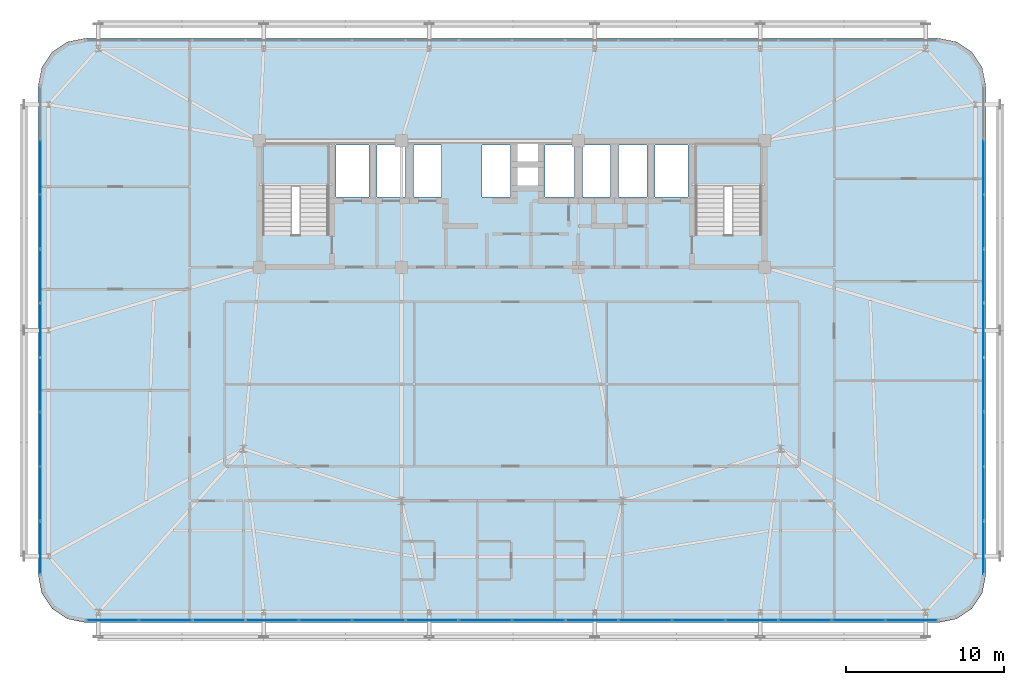
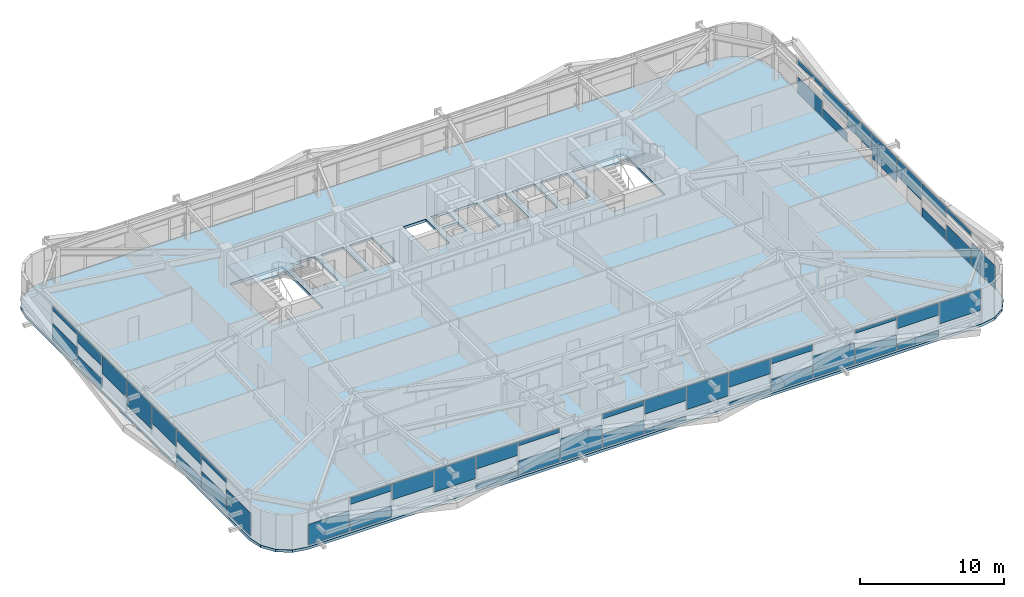
# One storey, part 42 of 59: 49 plates, 3 slabs, 5 elements without a shape of their own.
"""IFC4 building model written with IfcOpenShell, lengths in metres."""

from ifc_helpers import new_model, si_unit, direction, frame, origin, origin_2d, place, context, subcontext, project, spatial, polyline, rectangle, outline, extrude, source, transform, mapped, material, layer, layer_set, type_object, element, aggregate, save


model = new_model("IFC4")

# Units and contexts
model_context = context("Model", 3, precision=1e-05, world=origin(), true_north=direction((0.0, 1.0)))
body_context = subcontext(model_context, "Body", "Model", "MODEL_VIEW")
ifc_project = project(units=[si_unit("LENGTHUNIT", "METRE"), si_unit("AREAUNIT", "SQUARE_METRE"), si_unit("VOLUMEUNIT", "CUBIC_METRE"), si_unit("PLANEANGLEUNIT", "RADIAN"), si_unit("MASSUNIT", "GRAM", prefix="KILO")], contexts=[model_context])

# Site, building, storey
site_placement = place(None, origin())
site = spatial("IfcSite", under=ifc_project, at=site_placement, CompositionType="ELEMENT")
building_placement = place(site_placement, origin())
building = spatial("IfcBuilding", under=site, at=building_placement, Name="Taldren Reach Tower", CompositionType="ELEMENT")
storey_placement = place(building_placement, frame((0.0, 0.0, 45.14990234375)))
storey = spatial("IfcBuildingStorey", under=building, at=storey_placement, Name="L13", CompositionType="ELEMENT", Elevation=45.14990234375)

# Slab
ifc_material_1 = material(Name="Concrete N40 (40 MPa)", Category="concrete")
ifc_layer_1 = layer(ifc_material_1, 0.219970703125)
ifc_layer_set_1 = layer_set([ifc_layer_1], Name="Concrete N40 (40 MPa)")
slab_type_1 = type_object("IfcSlabType", Name="SL-FLR-220", PredefinedType="FLOOR", material=ifc_layer_set_1)
slab_1_placement = place(storey_placement, frame((0.0, 0.0, -0.219970703125)))
element("IfcSlab", 1, at=slab_1_placement, inside=storey, type_object=slab_type_1, Name="Suspended floor slab L13", PredefinedType="FLOOR", context=body_context, shape_type="SweptSolid", body=[
    extrude(outline(polyline([(62.0, 1.5), (63.14794921875, 1.728271484375), (64.121337890625, 2.378662109375), (64.771728515625, 3.35205078125), (65.0, 4.5), (65.0, 35.5), (64.771728515625, 36.64794921875), (64.121337890625, 37.621337890625), (63.14794921875, 38.271728515625), (62.0, 38.5), (8.0, 38.5), (6.85205078125, 38.271728515625), (5.878662109375, 37.621337890625), (5.228271484375, 36.64794921875), (5.0, 35.5), (5.0, 4.5), (5.228271484375, 3.35205078125), (5.878662109375, 2.378662109375), (6.85205078125, 1.728271484375), (8.0, 1.5), (62.0, 1.5)]), holes=[polyline([(19.219970703125, 26.050048828125), (23.3798828125, 26.050048828125), (23.3798828125, 31.820068359375), (19.219970703125, 31.820068359375), (19.219970703125, 26.050048828125)]), polyline([(46.6201171875, 26.050048828125), (50.780029296875, 26.050048828125), (50.780029296875, 31.820068359375), (46.6201171875, 31.820068359375), (46.6201171875, 26.050048828125)]), polyline([(23.85009765625, 28.449951171875), (25.949951171875, 28.449951171875), (25.949951171875, 31.75), (23.85009765625, 31.75), (23.85009765625, 28.449951171875)]), polyline([(44.050048828125, 28.449951171875), (46.14990234375, 28.449951171875), (46.14990234375, 31.75), (44.050048828125, 31.75), (44.050048828125, 28.449951171875)]), polyline([(26.449951171875, 28.449951171875), (28.25, 28.449951171875), (28.25, 31.75), (26.449951171875, 31.75), (26.449951171875, 28.449951171875)]), polyline([(28.75, 28.449951171875), (30.550048828125, 28.449951171875), (30.550048828125, 31.75), (28.75, 31.75), (28.75, 28.449951171875)]), polyline([(33.10009765625, 28.449951171875), (34.89990234375, 28.449951171875), (34.89990234375, 31.75), (33.10009765625, 31.75), (33.10009765625, 28.449951171875)]), polyline([(37.10009765625, 28.449951171875), (38.949951171875, 28.449951171875), (38.949951171875, 31.75), (37.10009765625, 31.75), (37.10009765625, 28.449951171875)]), polyline([(39.449951171875, 28.449951171875), (41.25, 28.449951171875), (41.25, 31.75), (39.449951171875, 31.75), (39.449951171875, 28.449951171875)]), polyline([(41.75, 28.449951171875), (43.550048828125, 28.449951171875), (43.550048828125, 31.75), (41.75, 31.75), (41.75, 28.449951171875)]), polyline([(35.35009765625, 30.64990234375), (36.64990234375, 30.64990234375), (36.64990234375, 31.85009765625), (35.35009765625, 31.85009765625), (35.35009765625, 30.64990234375)]), polyline([(35.35009765625, 29.14990234375), (36.64990234375, 29.14990234375), (36.64990234375, 30.35009765625), (35.35009765625, 30.35009765625), (35.35009765625, 29.14990234375)])]), origin(), (0.0, 0.0, 1.0), 0.219970703125),
])

# Stair, slab
ifc_material_2 = material(Name="Concrete S50 (50 MPa)", Category="concrete")
stair_type = type_object("IfcStairType", Name="ST-HT-315", PredefinedType="HALF_TURN_STAIR", material=ifc_material_2)
stair_1_placement = place(storey_placement, origin())
stair_1 = element("IfcStair", 2, at=stair_1_placement, inside=storey, type_object=stair_type, Name="Fire-isolated exit stair ST1 L13", PredefinedType="HALF_TURN_STAIR")
ifc_layer_2 = layer(ifc_material_2, 0.179931640625)
ifc_layer_set_2 = layer_set([ifc_layer_2], Name="Concrete S50 (50 MPa)")
slab_type_2 = type_object("IfcSlabType", Name="SL-LAND-180", PredefinedType="LANDING", material=ifc_layer_set_2)
slab_2_placement = place(storey_placement, frame((0.0, 0.0, 1.39501953125)))
slab_2 = element("IfcSlab", 3, at=slab_2_placement, type_object=slab_type_2, Name="ST1 landing 1", PredefinedType="LANDING", context=body_context, shape_type="SweptSolid", body=[
    extrude(outline(polyline([(19.0400390625, 29.135009765625), (23.56005859375, 29.135009765625), (23.56005859375, 31.8701171875), (19.0400390625, 31.8701171875), (19.0400390625, 29.135009765625)])), origin(), (0.0, 0.0, 1.0), 0.18017578125),
])
aggregate(stair_1, [slab_2])

stair_2_placement = place(storey_placement, origin())
stair_2 = element("IfcStair", 4, at=stair_2_placement, inside=storey, type_object=stair_type, Name="Fire-isolated exit stair ST2 L13", PredefinedType="HALF_TURN_STAIR")
slab_3_placement = place(storey_placement, frame((0.0, 0.0, 1.39501953125)))
slab_3 = element("IfcSlab", 5, at=slab_3_placement, type_object=slab_type_2, Name="ST2 landing 1", PredefinedType="LANDING", context=body_context, shape_type="SweptSolid", body=[
    extrude(outline(polyline([(46.43994140625, 29.135009765625), (50.9599609375, 29.135009765625), (50.9599609375, 31.8701171875), (46.43994140625, 31.8701171875), (46.43994140625, 29.135009765625)])), origin(), (0.0, 0.0, 1.0), 0.18017578125),
])
aggregate(stair_2, [slab_3])

# Curtain wall, plates
ifc_material_3 = material(Name="Aluminium and Low-E Glass Unitised System", Category="aluminium")
ifc_layer_3 = layer(ifc_material_3, 0.159912109375)
ifc_layer_set_3 = layer_set([ifc_layer_3], Name="Aluminium and Low-E Glass Unitised System")
curtain_wall_type = type_object("IfcCurtainWallType", Name="CW-SYS-2", PredefinedType="NOTDEFINED", material=ifc_layer_set_3)
curtain_wall_1_placement = place(storey_placement, origin())
curtain_wall_1 = element("IfcCurtainWall", 6, at=curtain_wall_1_placement, inside=storey, type_object=curtain_wall_type, Name="Unitised curtain wall CW-L13-S", PredefinedType="NOTDEFINED")
ifc_material_4 = material(Name="Solar-Control Double Glazed IGU", Category="glass")
ifc_layer_4 = layer(ifc_material_4, 0.031982421875)
ifc_layer_set_4 = layer_set([ifc_layer_4], Name="Solar-Control Double Glazed IGU")
plate_type = type_object("IfcPlateType", Name="CW-PNL-IGU32", PredefinedType="CURTAIN_PANEL", material=ifc_layer_set_4)
shared_shape_1 = source(origin(), body_context, "Body", "SweptSolid", [
    extrude(rectangle(XDim=3.277587890625, YDim=0.031982421875, at=origin_2d()), origin(), (0.0, 0.0, 1.0), 1.73876953125),
])
plate_1_placement = place(storey_placement, frame((9.703857421875, 1.639892578125, 0.05517578125), z_axis=(0.0, 0.0, 1.0), x_axis=(1.0, 0.0, 0.0)))
plate_1 = element("IfcPlate", 7, at=plate_1_placement, type_object=plate_type, Name="CW-2 panel 1.1 part 1", PredefinedType="CURTAIN_PANEL", context=body_context, shape_type="MappedRepresentation", body=[
    mapped(shared_shape_1, transform((0.0, 0.0, 0.0), scale=1.0)),
])
shared_shape_2 = source(origin(), body_context, "Body", "SweptSolid", [
    extrude(rectangle(XDim=3.31005859375, YDim=0.031982421875, at=origin_2d()), origin(), (0.0, 0.0, 1.0), 0.9560546875),
])
plate_2_placement = place(storey_placement, frame((13.0625, 1.639892578125, 0.05517578125), z_axis=(0.0, 0.0, 1.0), x_axis=(1.0, 0.0, 0.0)))
plate_2 = element("IfcPlate", 8, at=plate_2_placement, type_object=plate_type, Name="CW-2 panel 2.1 part 1", PredefinedType="CURTAIN_PANEL", context=body_context, shape_type="MappedRepresentation", body=[
    mapped(shared_shape_2, transform((0.0, 0.0, 0.0), scale=1.0)),
])
shared_shape_3 = source(origin(), body_context, "Body", "SweptSolid", [
    extrude(rectangle(XDim=3.31005859375, YDim=0.031982421875, at=origin_2d()), origin(), (0.0, 0.0, 1.0), 0.562744140625),
])
plate_3_placement = place(storey_placement, frame((13.0625, 1.639892578125, 2.3125), z_axis=(0.0, 0.0, 1.0), x_axis=(1.0, 0.0, 0.0)))
plate_3 = element("IfcPlate", 9, at=plate_3_placement, type_object=plate_type, Name="CW-2 panel 2.1 part 2", PredefinedType="CURTAIN_PANEL", context=body_context, shape_type="MappedRepresentation", body=[
    mapped(shared_shape_3, transform((0.0, 0.0, 0.0), scale=1.0)),
])
shared_shape_4 = source(origin(), body_context, "Body", "SweptSolid", [
    extrude(rectangle(XDim=3.31005859375, YDim=0.031982421875, at=origin_2d()), origin(), (0.0, 0.0, 1.0), 1.345458984375),
])
plate_4_placement = place(storey_placement, frame((16.4375, 1.639892578125, 1.52978515625), z_axis=(0.0, 0.0, 1.0), x_axis=(1.0, 0.0, 0.0)))
plate_4 = element("IfcPlate", 10, at=plate_4_placement, type_object=plate_type, Name="CW-2 panel 3.1 part 1", PredefinedType="CURTAIN_PANEL", context=body_context, shape_type="MappedRepresentation", body=[
    mapped(shared_shape_4, transform((0.0, 0.0, 0.0), scale=1.0)),
])
shared_shape_5 = source(origin(), body_context, "Body", "SweptSolid", [
    extrude(rectangle(XDim=3.31005859375, YDim=0.031982421875, at=origin_2d()), origin(), (0.0, 0.0, 1.0), 1.881103515625),
])
plate_5_placement = place(storey_placement, frame((19.8125, 1.639892578125, 0.994140625), z_axis=(0.0, 0.0, 1.0), x_axis=(1.0, 0.0, 0.0)))
plate_5 = element("IfcPlate", 11, at=plate_5_placement, type_object=plate_type, Name="CW-2 panel 4.1 part 1", PredefinedType="CURTAIN_PANEL", context=body_context, shape_type="MappedRepresentation", body=[
    mapped(shared_shape_5, transform((0.0, 0.0, 0.0), scale=1.0)),
])
shared_shape_6 = source(origin(), body_context, "Body", "SweptSolid", [
    extrude(rectangle(XDim=3.31005859375, YDim=0.031982421875, at=origin_2d()), origin(), (0.0, 0.0, 1.0), 0.42041015625),
])
plate_6_placement = place(storey_placement, frame((23.1875, 1.639892578125, 0.05517578125), z_axis=(0.0, 0.0, 1.0), x_axis=(1.0, 0.0, 0.0)))
plate_6 = element("IfcPlate", 12, at=plate_6_placement, type_object=plate_type, Name="CW-2 panel 5.1 part 1", PredefinedType="CURTAIN_PANEL", context=body_context, shape_type="MappedRepresentation", body=[
    mapped(shared_shape_6, transform((0.0, 0.0, 0.0), scale=1.0)),
])
shared_shape_7 = source(origin(), body_context, "Body", "SweptSolid", [
    extrude(rectangle(XDim=3.31005859375, YDim=0.031982421875, at=origin_2d()), origin(), (0.0, 0.0, 1.0), 1.098388671875),
])
plate_7_placement = place(storey_placement, frame((23.1875, 1.639892578125, 1.77685546875), z_axis=(0.0, 0.0, 1.0), x_axis=(1.0, 0.0, 0.0)))
plate_7 = element("IfcPlate", 13, at=plate_7_placement, type_object=plate_type, Name="CW-2 panel 5.1 part 2", PredefinedType="CURTAIN_PANEL", context=body_context, shape_type="MappedRepresentation", body=[
    mapped(shared_shape_7, transform((0.0, 0.0, 0.0), scale=1.0)),
])
shared_shape_8 = source(origin(), body_context, "Body", "SweptSolid", [
    extrude(rectangle(XDim=3.31005859375, YDim=0.031982421875, at=origin_2d()), origin(), (0.0, 0.0, 1.0), 1.203125),
])
plate_8_placement = place(storey_placement, frame((26.5625, 1.639892578125, 0.05517578125), z_axis=(0.0, 0.0, 1.0), x_axis=(1.0, 0.0, 0.0)))
plate_8 = element("IfcPlate", 14, at=plate_8_placement, type_object=plate_type, Name="CW-2 panel 6.1 part 1", PredefinedType="CURTAIN_PANEL", context=body_context, shape_type="MappedRepresentation", body=[
    mapped(shared_shape_8, transform((0.0, 0.0, 0.0), scale=1.0)),
])
shared_shape_9 = source(origin(), body_context, "Body", "SweptSolid", [
    extrude(rectangle(XDim=3.31005859375, YDim=0.031982421875, at=origin_2d()), origin(), (0.0, 0.0, 1.0), 0.31591796875),
])
plate_9_placement = place(storey_placement, frame((26.5625, 1.639892578125, 2.55908203125), z_axis=(0.0, 0.0, 1.0), x_axis=(1.0, 0.0, 0.0)))
plate_9 = element("IfcPlate", 15, at=plate_9_placement, type_object=plate_type, Name="CW-2 panel 6.1 part 2", PredefinedType="CURTAIN_PANEL", context=body_context, shape_type="MappedRepresentation", body=[
    mapped(shared_shape_9, transform((0.0, 0.0, 0.0), scale=1.0)),
])
shared_shape_10 = source(origin(), body_context, "Body", "SweptSolid", [
    extrude(rectangle(XDim=3.31005859375, YDim=0.031982421875, at=origin_2d()), origin(), (0.0, 0.0, 1.0), 1.9033203125),
])
plate_10_placement = place(storey_placement, frame((29.9375, 1.639892578125, 0.05517578125), z_axis=(0.0, 0.0, 1.0), x_axis=(1.0, 0.0, 0.0)))
plate_10 = element("IfcPlate", 16, at=plate_10_placement, type_object=plate_type, Name="CW-2 panel 7.1 part 1", PredefinedType="CURTAIN_PANEL", context=body_context, shape_type="MappedRepresentation", body=[
    mapped(shared_shape_10, transform((0.0, 0.0, 0.0), scale=1.0)),
])
shared_shape_11 = source(origin(), body_context, "Body", "SweptSolid", [
    extrude(rectangle(XDim=3.31005859375, YDim=0.031982421875, at=origin_2d()), origin(), (0.0, 0.0, 1.0), 1.120849609375),
])
plate_11_placement = place(storey_placement, frame((33.3125, 1.639892578125, 0.05517578125), z_axis=(0.0, 0.0, 1.0), x_axis=(1.0, 0.0, 0.0)))
plate_11 = element("IfcPlate", 17, at=plate_11_placement, type_object=plate_type, Name="CW-2 panel 8.1 part 1", PredefinedType="CURTAIN_PANEL", context=body_context, shape_type="MappedRepresentation", body=[
    mapped(shared_shape_11, transform((0.0, 0.0, 0.0), scale=1.0)),
])
shared_shape_12 = source(origin(), body_context, "Body", "SweptSolid", [
    extrude(rectangle(XDim=3.31005859375, YDim=0.031982421875, at=origin_2d()), origin(), (0.0, 0.0, 1.0), 0.398193359375),
])
plate_12_placement = place(storey_placement, frame((33.3125, 1.639892578125, 2.47705078125), z_axis=(0.0, 0.0, 1.0), x_axis=(1.0, 0.0, 0.0)))
plate_12 = element("IfcPlate", 18, at=plate_12_placement, type_object=plate_type, Name="CW-2 panel 8.1 part 2", PredefinedType="CURTAIN_PANEL", context=body_context, shape_type="MappedRepresentation", body=[
    mapped(shared_shape_12, transform((0.0, 0.0, 0.0), scale=1.0)),
])
shared_shape_13 = source(origin(), body_context, "Body", "SweptSolid", [
    extrude(rectangle(XDim=3.31005859375, YDim=0.031982421875, at=origin_2d()), origin(), (0.0, 0.0, 1.0), 0.338134765625),
])
plate_13_placement = place(storey_placement, frame((36.6875, 1.639892578125, 0.05517578125), z_axis=(0.0, 0.0, 1.0), x_axis=(1.0, 0.0, 0.0)))
plate_13 = element("IfcPlate", 19, at=plate_13_placement, type_object=plate_type, Name="CW-2 panel 9.1 part 1", PredefinedType="CURTAIN_PANEL", context=body_context, shape_type="MappedRepresentation", body=[
    mapped(shared_shape_13, transform((0.0, 0.0, 0.0), scale=1.0)),
])
shared_shape_14 = source(origin(), body_context, "Body", "SweptSolid", [
    extrude(rectangle(XDim=3.31005859375, YDim=0.031982421875, at=origin_2d()), origin(), (0.0, 0.0, 1.0), 1.1806640625),
])
plate_14_placement = place(storey_placement, frame((36.6875, 1.639892578125, 1.6943359375), z_axis=(0.0, 0.0, 1.0), x_axis=(1.0, 0.0, 0.0)))
plate_14 = element("IfcPlate", 20, at=plate_14_placement, type_object=plate_type, Name="CW-2 panel 9.1 part 2", PredefinedType="CURTAIN_PANEL", context=body_context, shape_type="MappedRepresentation", body=[
    mapped(shared_shape_14, transform((0.0, 0.0, 0.0), scale=1.0)),
])
shared_shape_15 = source(origin(), body_context, "Body", "SweptSolid", [
    extrude(rectangle(XDim=3.31005859375, YDim=0.031982421875, at=origin_2d()), origin(), (0.0, 0.0, 1.0), 1.96337890625),
])
plate_15_placement = place(storey_placement, frame((40.0625, 1.639892578125, 0.91162109375), z_axis=(0.0, 0.0, 1.0), x_axis=(1.0, 0.0, 0.0)))
plate_15 = element("IfcPlate", 21, at=plate_15_placement, type_object=plate_type, Name="CW-2 panel 10.1 part 1", PredefinedType="CURTAIN_PANEL", context=body_context, shape_type="MappedRepresentation", body=[
    mapped(shared_shape_15, transform((0.0, 0.0, 0.0), scale=1.0)),
])
shared_shape_16 = source(origin(), body_context, "Body", "SweptSolid", [
    extrude(rectangle(XDim=3.31005859375, YDim=0.031982421875, at=origin_2d()), origin(), (0.0, 0.0, 1.0), 0.255859375),
])
plate_16_placement = place(storey_placement, frame((43.4375, 1.639892578125, 0.05517578125), z_axis=(0.0, 0.0, 1.0), x_axis=(1.0, 0.0, 0.0)))
plate_16 = element("IfcPlate", 22, at=plate_16_placement, type_object=plate_type, Name="CW-2 panel 11.1 part 1", PredefinedType="CURTAIN_PANEL", context=body_context, shape_type="MappedRepresentation", body=[
    mapped(shared_shape_16, transform((0.0, 0.0, 0.0), scale=1.0)),
])
shared_shape_17 = source(origin(), body_context, "Body", "SweptSolid", [
    extrude(rectangle(XDim=3.31005859375, YDim=0.031982421875, at=origin_2d()), origin(), (0.0, 0.0, 1.0), 1.26318359375),
])
plate_17_placement = place(storey_placement, frame((43.4375, 1.639892578125, 1.612060546875), z_axis=(0.0, 0.0, 1.0), x_axis=(1.0, 0.0, 0.0)))
plate_17 = element("IfcPlate", 23, at=plate_17_placement, type_object=plate_type, Name="CW-2 panel 11.1 part 2", PredefinedType="CURTAIN_PANEL", context=body_context, shape_type="MappedRepresentation", body=[
    mapped(shared_shape_17, transform((0.0, 0.0, 0.0), scale=1.0)),
])
shared_shape_18 = source(origin(), body_context, "Body", "SweptSolid", [
    extrude(rectangle(XDim=3.31005859375, YDim=0.031982421875, at=origin_2d()), origin(), (0.0, 0.0, 1.0), 1.03857421875),
])
plate_18_placement = place(storey_placement, frame((46.8125, 1.639892578125, 0.054931640625), z_axis=(0.0, 0.0, 1.0), x_axis=(1.0, 0.0, 0.0)))
plate_18 = element("IfcPlate", 24, at=plate_18_placement, type_object=plate_type, Name="CW-2 panel 12.1 part 1", PredefinedType="CURTAIN_PANEL", context=body_context, shape_type="MappedRepresentation", body=[
    mapped(shared_shape_18, transform((0.0, 0.0, 0.0), scale=1.0)),
])
shared_shape_19 = source(origin(), body_context, "Body", "SweptSolid", [
    extrude(rectangle(XDim=3.31005859375, YDim=0.031982421875, at=origin_2d()), origin(), (0.0, 0.0, 1.0), 0.48046875),
])
plate_19_placement = place(storey_placement, frame((46.8125, 1.639892578125, 2.39453125), z_axis=(0.0, 0.0, 1.0), x_axis=(1.0, 0.0, 0.0)))
plate_19 = element("IfcPlate", 25, at=plate_19_placement, type_object=plate_type, Name="CW-2 panel 12.1 part 2", PredefinedType="CURTAIN_PANEL", context=body_context, shape_type="MappedRepresentation", body=[
    mapped(shared_shape_19, transform((0.0, 0.0, 0.0), scale=1.0)),
])
shared_shape_20 = source(origin(), body_context, "Body", "SweptSolid", [
    extrude(rectangle(XDim=3.31005859375, YDim=0.031982421875, at=origin_2d()), origin(), (0.0, 0.0, 1.0), 1.821044921875),
])
plate_20_placement = place(storey_placement, frame((50.1875, 1.639892578125, 0.05517578125), z_axis=(0.0, 0.0, 1.0), x_axis=(1.0, 0.0, 0.0)))
plate_20 = element("IfcPlate", 26, at=plate_20_placement, type_object=plate_type, Name="CW-2 panel 13.1 part 1", PredefinedType="CURTAIN_PANEL", context=body_context, shape_type="MappedRepresentation", body=[
    mapped(shared_shape_20, transform((0.0, 0.0, 0.0), scale=1.0)),
])
shared_shape_21 = source(origin(), body_context, "Body", "SweptSolid", [
    extrude(rectangle(XDim=3.31005859375, YDim=0.031982421875, at=origin_2d()), origin(), (0.0, 0.0, 1.0), 1.285400390625),
])
plate_21_placement = place(storey_placement, frame((53.5625, 1.639892578125, 0.05517578125), z_axis=(0.0, 0.0, 1.0), x_axis=(1.0, 0.0, 0.0)))
plate_21 = element("IfcPlate", 27, at=plate_21_placement, type_object=plate_type, Name="CW-2 panel 14.1 part 1", PredefinedType="CURTAIN_PANEL", context=body_context, shape_type="MappedRepresentation", body=[
    mapped(shared_shape_21, transform((0.0, 0.0, 0.0), scale=1.0)),
])
shared_shape_22 = source(origin(), body_context, "Body", "SweptSolid", [
    extrude(rectangle(XDim=3.31005859375, YDim=0.031982421875, at=origin_2d()), origin(), (0.0, 0.0, 1.0), 0.233642578125),
])
plate_22_placement = place(storey_placement, frame((53.5625, 1.639892578125, 2.6416015625), z_axis=(0.0, 0.0, 1.0), x_axis=(1.0, 0.0, 0.0)))
plate_22 = element("IfcPlate", 28, at=plate_22_placement, type_object=plate_type, Name="CW-2 panel 14.1 part 2", PredefinedType="CURTAIN_PANEL", context=body_context, shape_type="MappedRepresentation", body=[
    mapped(shared_shape_22, transform((0.0, 0.0, 0.0), scale=1.0)),
])
shared_shape_23 = source(origin(), body_context, "Body", "SweptSolid", [
    extrude(rectangle(XDim=3.31005859375, YDim=0.031982421875, at=origin_2d()), origin(), (0.0, 0.0, 1.0), 0.5029296875),
])
plate_23_placement = place(storey_placement, frame((56.9375, 1.639892578125, 0.054931640625), z_axis=(0.0, 0.0, 1.0), x_axis=(1.0, 0.0, 0.0)))
plate_23 = element("IfcPlate", 29, at=plate_23_placement, type_object=plate_type, Name="CW-2 panel 15.1 part 1", PredefinedType="CURTAIN_PANEL", context=body_context, shape_type="MappedRepresentation", body=[
    mapped(shared_shape_23, transform((0.0, 0.0, 0.0), scale=1.0)),
])
shared_shape_24 = source(origin(), body_context, "Body", "SweptSolid", [
    extrude(rectangle(XDim=3.31005859375, YDim=0.031982421875, at=origin_2d()), origin(), (0.0, 0.0, 1.0), 1.01611328125),
])
plate_24_placement = place(storey_placement, frame((56.9375, 1.639892578125, 1.85888671875), z_axis=(0.0, 0.0, 1.0), x_axis=(1.0, 0.0, 0.0)))
plate_24 = element("IfcPlate", 30, at=plate_24_placement, type_object=plate_type, Name="CW-2 panel 15.1 part 2", PredefinedType="CURTAIN_PANEL", context=body_context, shape_type="MappedRepresentation", body=[
    mapped(shared_shape_24, transform((0.0, 0.0, 0.0), scale=1.0)),
])
shared_shape_25 = source(origin(), body_context, "Body", "SweptSolid", [
    extrude(rectangle(XDim=3.277587890625, YDim=0.031982421875, at=origin_2d()), origin(), (0.0, 0.0, 1.0), 1.798583984375),
])
plate_25_placement = place(storey_placement, frame((60.296142578125, 1.639892578125, 1.07666015625), z_axis=(0.0, 0.0, 1.0), x_axis=(1.0, 0.0, 0.0)))
plate_25 = element("IfcPlate", 31, at=plate_25_placement, type_object=plate_type, Name="CW-2 panel 16.1 part 1", PredefinedType="CURTAIN_PANEL", context=body_context, shape_type="MappedRepresentation", body=[
    mapped(shared_shape_25, transform((0.0, 0.0, 0.0), scale=1.0)),
])
aggregate(curtain_wall_1, [plate_1, plate_2, plate_3, plate_4, plate_5, plate_6, plate_7, plate_8, plate_9, plate_10, plate_11, plate_12, plate_13, plate_14, plate_15, plate_16, plate_17, plate_18, plate_19, plate_20, plate_21, plate_22, plate_23, plate_24, plate_25])

# Curtain wall, plate
curtain_wall_2_placement = place(storey_placement, origin())
curtain_wall_2 = element("IfcCurtainWall", 32, at=curtain_wall_2_placement, inside=storey, type_object=curtain_wall_type, Name="Unitised curtain wall CW-L13-W", PredefinedType="NOTDEFINED")
shared_shape_26 = source(origin(), body_context, "Body", "SweptSolid", [
    extrude(rectangle(XDim=3.346923828125, YDim=0.031982421875, at=origin_2d()), origin(), (0.0, 0.0, 1.0), 1.95556640625),
])
plate_26_placement = place(storey_placement, frame((5.139892578125, 6.238525390625, 0.054931640625), z_axis=(0.0, 0.0, 1.0), x_axis=(0.0, -1.0, 0.0)))
plate_26 = element("IfcPlate", 33, at=plate_26_placement, type_object=plate_type, Name="CW-2 panel 9.1 part 1", PredefinedType="CURTAIN_PANEL", context=body_context, shape_type="MappedRepresentation", body=[
    mapped(shared_shape_26, transform((0.0, 0.0, 0.0), scale=1.0)),
])

curtain_wall_3_placement = place(storey_placement, origin())
curtain_wall_3 = element("IfcCurtainWall", 34, at=curtain_wall_3_placement, inside=storey, type_object=curtain_wall_type, Name="Unitised curtain wall CW-L13-E", PredefinedType="NOTDEFINED")
plate_27_placement = place(storey_placement, frame((64.860107421875, 6.238525390625, 0.054931640625), z_axis=(0.0, 0.0, 1.0), x_axis=(0.0, 1.0, 0.0)))
plate_27 = element("IfcPlate", 35, at=plate_27_placement, type_object=plate_type, Name="CW-2 panel 1.1 part 1", PredefinedType="CURTAIN_PANEL", context=body_context, shape_type="MappedRepresentation", body=[
    mapped(shared_shape_26, transform((0.0, 0.0, 0.0), scale=1.0)),
])

# Plate
shared_shape_27 = source(origin(), body_context, "Body", "SweptSolid", [
    extrude(rectangle(XDim=3.37939453125, YDim=0.031982421875, at=origin_2d()), origin(), (0.0, 0.0, 1.0), 1.3701171875),
])
plate_28_placement = place(storey_placement, frame((5.139892578125, 30.333251953125, 0.05517578125), z_axis=(0.0, 0.0, 1.0), x_axis=(0.0, -1.0, 0.0)))
plate_28 = element("IfcPlate", 36, at=plate_28_placement, type_object=plate_type, Name="CW-2 panel 2.1 part 1", PredefinedType="CURTAIN_PANEL", context=body_context, shape_type="MappedRepresentation", body=[
    mapped(shared_shape_27, transform((0.0, 0.0, 0.0), scale=1.0)),
])

plate_29_placement = place(storey_placement, frame((5.139892578125, 9.666748046875, 0.05517578125), z_axis=(0.0, 0.0, 1.0), x_axis=(0.0, -1.0, 0.0)))
plate_29 = element("IfcPlate", 37, at=plate_29_placement, type_object=plate_type, Name="CW-2 panel 8.1 part 1", PredefinedType="CURTAIN_PANEL", context=body_context, shape_type="MappedRepresentation", body=[
    mapped(shared_shape_27, transform((0.0, 0.0, 0.0), scale=1.0)),
])

plate_30_placement = place(storey_placement, frame((64.860107421875, 9.666748046875, 0.05517578125), z_axis=(0.0, 0.0, 1.0), x_axis=(0.0, 1.0, 0.0)))
plate_30 = element("IfcPlate", 38, at=plate_30_placement, type_object=plate_type, Name="CW-2 panel 2.1 part 1", PredefinedType="CURTAIN_PANEL", context=body_context, shape_type="MappedRepresentation", body=[
    mapped(shared_shape_27, transform((0.0, 0.0, 0.0), scale=1.0)),
])

plate_31_placement = place(storey_placement, frame((64.860107421875, 30.333251953125, 0.05517578125), z_axis=(0.0, 0.0, 1.0), x_axis=(0.0, 1.0, 0.0)))
plate_31 = element("IfcPlate", 39, at=plate_31_placement, type_object=plate_type, Name="CW-2 panel 8.1 part 1", PredefinedType="CURTAIN_PANEL", context=body_context, shape_type="MappedRepresentation", body=[
    mapped(shared_shape_27, transform((0.0, 0.0, 0.0), scale=1.0)),
])

shared_shape_28 = source(origin(), body_context, "Body", "SweptSolid", [
    extrude(rectangle(XDim=3.37939453125, YDim=0.031982421875, at=origin_2d()), origin(), (0.0, 0.0, 1.0), 0.34814453125),
])
plate_32_placement = place(storey_placement, frame((5.139892578125, 30.333251953125, 2.52685546875), z_axis=(0.0, 0.0, 1.0), x_axis=(0.0, -1.0, 0.0)))
plate_32 = element("IfcPlate", 40, at=plate_32_placement, type_object=plate_type, Name="CW-2 panel 2.1 part 2", PredefinedType="CURTAIN_PANEL", context=body_context, shape_type="MappedRepresentation", body=[
    mapped(shared_shape_28, transform((0.0, 0.0, 0.0), scale=1.0)),
])

plate_33_placement = place(storey_placement, frame((5.139892578125, 9.666748046875, 2.52685546875), z_axis=(0.0, 0.0, 1.0), x_axis=(0.0, -1.0, 0.0)))
plate_33 = element("IfcPlate", 41, at=plate_33_placement, type_object=plate_type, Name="CW-2 panel 8.1 part 2", PredefinedType="CURTAIN_PANEL", context=body_context, shape_type="MappedRepresentation", body=[
    mapped(shared_shape_28, transform((0.0, 0.0, 0.0), scale=1.0)),
])

plate_34_placement = place(storey_placement, frame((64.860107421875, 9.666748046875, 2.52685546875), z_axis=(0.0, 0.0, 1.0), x_axis=(0.0, 1.0, 0.0)))
plate_34 = element("IfcPlate", 42, at=plate_34_placement, type_object=plate_type, Name="CW-2 panel 2.1 part 2", PredefinedType="CURTAIN_PANEL", context=body_context, shape_type="MappedRepresentation", body=[
    mapped(shared_shape_28, transform((0.0, 0.0, 0.0), scale=1.0)),
])

plate_35_placement = place(storey_placement, frame((64.860107421875, 30.333251953125, 2.52685546875), z_axis=(0.0, 0.0, 1.0), x_axis=(0.0, 1.0, 0.0)))
plate_35 = element("IfcPlate", 43, at=plate_35_placement, type_object=plate_type, Name="CW-2 panel 8.1 part 2", PredefinedType="CURTAIN_PANEL", context=body_context, shape_type="MappedRepresentation", body=[
    mapped(shared_shape_28, transform((0.0, 0.0, 0.0), scale=1.0)),
])

shared_shape_29 = source(origin(), body_context, "Body", "SweptSolid", [
    extrude(rectangle(XDim=3.37939453125, YDim=0.031982421875, at=origin_2d()), origin(), (0.0, 0.0, 1.0), 0.784912109375),
])
plate_36_placement = place(storey_placement, frame((5.139892578125, 26.888916015625, 0.05517578125), z_axis=(0.0, 0.0, 1.0), x_axis=(0.0, -1.0, 0.0)))
plate_36 = element("IfcPlate", 44, at=plate_36_placement, type_object=plate_type, Name="CW-2 panel 3.1 part 1", PredefinedType="CURTAIN_PANEL", context=body_context, shape_type="MappedRepresentation", body=[
    mapped(shared_shape_29, transform((0.0, 0.0, 0.0), scale=1.0)),
])

plate_37_placement = place(storey_placement, frame((5.139892578125, 13.111083984375, 0.05517578125), z_axis=(0.0, 0.0, 1.0), x_axis=(0.0, -1.0, 0.0)))
plate_37 = element("IfcPlate", 45, at=plate_37_placement, type_object=plate_type, Name="CW-2 panel 7.1 part 1", PredefinedType="CURTAIN_PANEL", context=body_context, shape_type="MappedRepresentation", body=[
    mapped(shared_shape_29, transform((0.0, 0.0, 0.0), scale=1.0)),
])

plate_38_placement = place(storey_placement, frame((64.860107421875, 13.111083984375, 0.05517578125), z_axis=(0.0, 0.0, 1.0), x_axis=(0.0, 1.0, 0.0)))
plate_38 = element("IfcPlate", 46, at=plate_38_placement, type_object=plate_type, Name="CW-2 panel 3.1 part 1", PredefinedType="CURTAIN_PANEL", context=body_context, shape_type="MappedRepresentation", body=[
    mapped(shared_shape_29, transform((0.0, 0.0, 0.0), scale=1.0)),
])

plate_39_placement = place(storey_placement, frame((64.860107421875, 26.888916015625, 0.05517578125), z_axis=(0.0, 0.0, 1.0), x_axis=(0.0, 1.0, 0.0)))
plate_39 = element("IfcPlate", 47, at=plate_39_placement, type_object=plate_type, Name="CW-2 panel 7.1 part 1", PredefinedType="CURTAIN_PANEL", context=body_context, shape_type="MappedRepresentation", body=[
    mapped(shared_shape_29, transform((0.0, 0.0, 0.0), scale=1.0)),
])

shared_shape_30 = source(origin(), body_context, "Body", "SweptSolid", [
    extrude(rectangle(XDim=3.37939453125, YDim=0.031982421875, at=origin_2d()), origin(), (0.0, 0.0, 1.0), 0.93359375),
])
plate_40_placement = place(storey_placement, frame((5.139892578125, 26.888916015625, 1.94140625), z_axis=(0.0, 0.0, 1.0), x_axis=(0.0, -1.0, 0.0)))
plate_40 = element("IfcPlate", 48, at=plate_40_placement, type_object=plate_type, Name="CW-2 panel 3.1 part 2", PredefinedType="CURTAIN_PANEL", context=body_context, shape_type="MappedRepresentation", body=[
    mapped(shared_shape_30, transform((0.0, 0.0, 0.0), scale=1.0)),
])

plate_41_placement = place(storey_placement, frame((5.139892578125, 13.111083984375, 1.94140625), z_axis=(0.0, 0.0, 1.0), x_axis=(0.0, -1.0, 0.0)))
plate_41 = element("IfcPlate", 49, at=plate_41_placement, type_object=plate_type, Name="CW-2 panel 7.1 part 2", PredefinedType="CURTAIN_PANEL", context=body_context, shape_type="MappedRepresentation", body=[
    mapped(shared_shape_30, transform((0.0, 0.0, 0.0), scale=1.0)),
])

plate_42_placement = place(storey_placement, frame((64.860107421875, 13.111083984375, 1.94140625), z_axis=(0.0, 0.0, 1.0), x_axis=(0.0, 1.0, 0.0)))
plate_42 = element("IfcPlate", 50, at=plate_42_placement, type_object=plate_type, Name="CW-2 panel 3.1 part 2", PredefinedType="CURTAIN_PANEL", context=body_context, shape_type="MappedRepresentation", body=[
    mapped(shared_shape_30, transform((0.0, 0.0, 0.0), scale=1.0)),
])

plate_43_placement = place(storey_placement, frame((64.860107421875, 26.888916015625, 1.94140625), z_axis=(0.0, 0.0, 1.0), x_axis=(0.0, 1.0, 0.0)))
plate_43 = element("IfcPlate", 51, at=plate_43_placement, type_object=plate_type, Name="CW-2 panel 7.1 part 2", PredefinedType="CURTAIN_PANEL", context=body_context, shape_type="MappedRepresentation", body=[
    mapped(shared_shape_30, transform((0.0, 0.0, 0.0), scale=1.0)),
])

shared_shape_31 = source(origin(), body_context, "Body", "SweptSolid", [
    extrude(rectangle(XDim=3.37939453125, YDim=0.031982421875, at=origin_2d()), origin(), (0.0, 0.0, 1.0), 1.518798828125),
])
plate_44_placement = place(storey_placement, frame((5.139892578125, 23.4443359375, 1.3564453125), z_axis=(0.0, 0.0, 1.0), x_axis=(0.0, -1.0, 0.0)))
plate_44 = element("IfcPlate", 52, at=plate_44_placement, type_object=plate_type, Name="CW-2 panel 4.1 part 1", PredefinedType="CURTAIN_PANEL", context=body_context, shape_type="MappedRepresentation", body=[
    mapped(shared_shape_31, transform((0.0, 0.0, 0.0), scale=1.0)),
])

plate_45_placement = place(storey_placement, frame((5.139892578125, 16.5556640625, 1.3564453125), z_axis=(0.0, 0.0, 1.0), x_axis=(0.0, -1.0, 0.0)))
plate_45 = element("IfcPlate", 53, at=plate_45_placement, type_object=plate_type, Name="CW-2 panel 6.1 part 1", PredefinedType="CURTAIN_PANEL", context=body_context, shape_type="MappedRepresentation", body=[
    mapped(shared_shape_31, transform((0.0, 0.0, 0.0), scale=1.0)),
])

plate_46_placement = place(storey_placement, frame((64.860107421875, 16.5556640625, 1.3564453125), z_axis=(0.0, 0.0, 1.0), x_axis=(0.0, 1.0, 0.0)))
plate_46 = element("IfcPlate", 54, at=plate_46_placement, type_object=plate_type, Name="CW-2 panel 4.1 part 1", PredefinedType="CURTAIN_PANEL", context=body_context, shape_type="MappedRepresentation", body=[
    mapped(shared_shape_31, transform((0.0, 0.0, 0.0), scale=1.0)),
])

plate_47_placement = place(storey_placement, frame((64.860107421875, 23.4443359375, 1.3564453125), z_axis=(0.0, 0.0, 1.0), x_axis=(0.0, 1.0, 0.0)))
plate_47 = element("IfcPlate", 55, at=plate_47_placement, type_object=plate_type, Name="CW-2 panel 6.1 part 1", PredefinedType="CURTAIN_PANEL", context=body_context, shape_type="MappedRepresentation", body=[
    mapped(shared_shape_31, transform((0.0, 0.0, 0.0), scale=1.0)),
])

shared_shape_32 = source(origin(), body_context, "Body", "SweptSolid", [
    extrude(rectangle(XDim=3.37939453125, YDim=0.031982421875, at=origin_2d()), origin(), (0.0, 0.0, 1.0), 2.104248046875),
])
plate_48_placement = place(storey_placement, frame((5.139892578125, 20.0, 0.77099609375), z_axis=(0.0, 0.0, 1.0), x_axis=(0.0, -1.0, 0.0)))
plate_48 = element("IfcPlate", 56, at=plate_48_placement, type_object=plate_type, Name="CW-2 panel 5.1 part 1", PredefinedType="CURTAIN_PANEL", context=body_context, shape_type="MappedRepresentation", body=[
    mapped(shared_shape_32, transform((0.0, 0.0, 0.0), scale=1.0)),
])

aggregate(curtain_wall_2, [plate_28, plate_32, plate_36, plate_40, plate_44, plate_48, plate_45, plate_37, plate_41, plate_29, plate_33, plate_26])

plate_49_placement = place(storey_placement, frame((64.860107421875, 20.0, 0.77099609375), z_axis=(0.0, 0.0, 1.0), x_axis=(0.0, 1.0, 0.0)))
plate_49 = element("IfcPlate", 57, at=plate_49_placement, type_object=plate_type, Name="CW-2 panel 5.1 part 1", PredefinedType="CURTAIN_PANEL", context=body_context, shape_type="MappedRepresentation", body=[
    mapped(shared_shape_32, transform((0.0, 0.0, 0.0), scale=1.0)),
])

aggregate(curtain_wall_3, [plate_27, plate_30, plate_34, plate_38, plate_42, plate_46, plate_49, plate_47, plate_39, plate_43, plate_31, plate_35])

save(model, "model.ifc")
